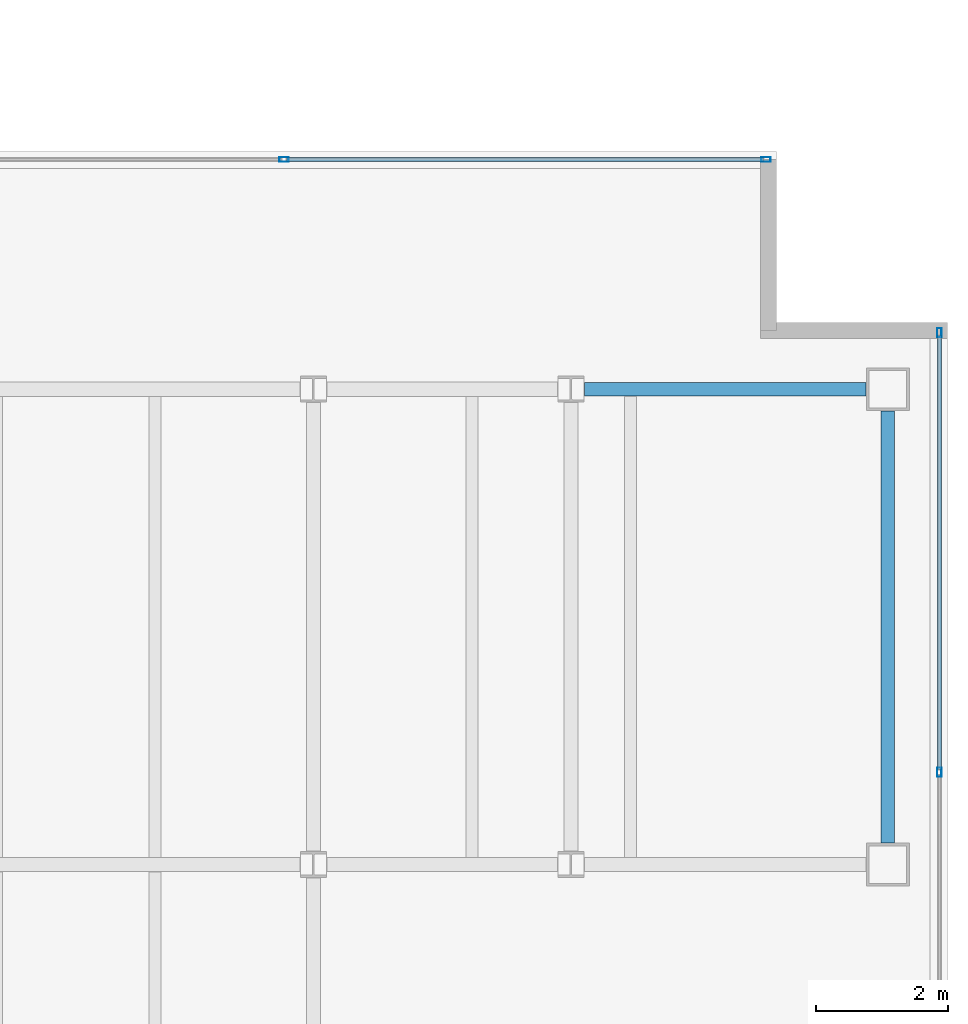
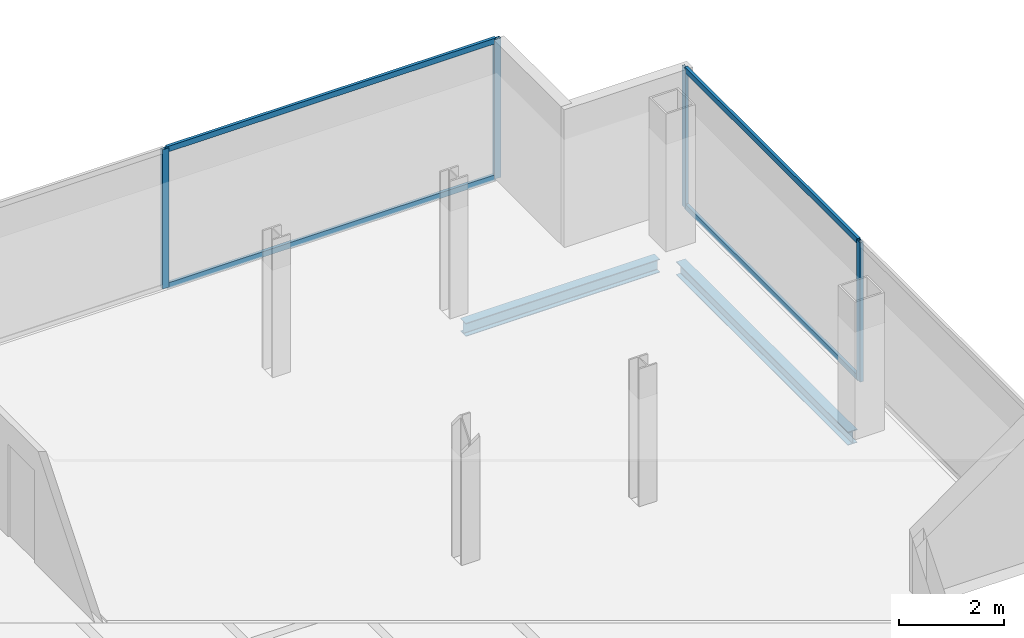
# One storey, part 16 of 23: 8 members, 2 beams, 2 elements without a shape of their own.
"""IFC4 building model written with IfcOpenShell, lengths in metres."""

from ifc_helpers import new_model, si_unit, direction, frame, origin, origin_2d, place, context, subcontext, project, spatial, hollow_rectangle, i_section, extrude, material, material_profile, profile_set, type_object, element, aggregate, save


model = new_model("IFC4")

# Units and contexts
model_context = context("Model", 3, precision=1e-05, world=origin(), true_north=direction((0.0, 1.0)))
body_context = subcontext(model_context, "Body", "Model", "MODEL_VIEW")
ifc_project = project(units=[si_unit("LENGTHUNIT", "METRE"), si_unit("AREAUNIT", "SQUARE_METRE"), si_unit("VOLUMEUNIT", "CUBIC_METRE"), si_unit("PLANEANGLEUNIT", "RADIAN"), si_unit("MASSUNIT", "GRAM", prefix="KILO")], contexts=[model_context])

# Site, building, storey
site_placement = place(None, origin())
site = spatial("IfcSite", under=ifc_project, at=site_placement, CompositionType="ELEMENT")
building_placement = place(site_placement, origin())
building = spatial("IfcBuilding", under=site, at=building_placement, Name="Cobrela Telecom Tower", CompositionType="ELEMENT")
storey_placement = place(building_placement, frame((0.0, 0.0, 262.14990234375)))
storey = spatial("IfcBuildingStorey", under=building, at=storey_placement, Name="L68", CompositionType="ELEMENT", Elevation=262.14990234375)

# Beams
ifc_material_1 = material(Name="Steel ASTM A992 Grade 50", Category="steel")
ifc_material_profile_1 = material_profile(ifc_material_1, i_section(OverallWidth=0.205078125, OverallDepth=0.31005859375, WebThickness=0.009521484375, FlangeThickness=0.016357421875, FilletRadius=0.010986328125, at=origin_2d()), Name="W12X50")
ifc_profile_set_1 = profile_set([ifc_material_profile_1], Name="Steel ASTM A992 Grade 50")
beam_type = type_object("IfcBeamType", Name="BM-SPAND-07", PredefinedType="SPANDREL", material=ifc_profile_set_1)
beam_1_placement = place(storey_placement, frame((40.1044921875, 21.60009765625, -0.414794921875), z_axis=(1.0, 0.0, 0.0), x_axis=(0.0, 1.0, 0.0)))
element("IfcBeam", 1, at=beam_1_placement, inside=storey, type_object=beam_type, Name="L68 Perimeter Spandrel X14", PredefinedType="SPANDREL", context=body_context, shape_type="SweptSolid", body=[
    extrude(i_section(OverallWidth=0.205078125, OverallDepth=0.31005859375, WebThickness=0.009521484375, FlangeThickness=0.016357421875, FilletRadius=0.010986328125, at=origin_2d()), origin(), (0.0, 0.0, 1.0), 4.265625),
])
beam_2_placement = place(storey_placement, frame((44.699951171875, 14.72998046875, -0.414794921875), z_axis=(0.0, 1.0, 0.0), x_axis=(-1.0, 0.0, 0.0)))
element("IfcBeam", 2, at=beam_2_placement, inside=storey, type_object=beam_type, Name="L68 Perimeter Spandrel Y34", PredefinedType="SPANDREL", context=body_context, shape_type="SweptSolid", body=[
    extrude(i_section(OverallWidth=0.205078125, OverallDepth=0.31005859375, WebThickness=0.009521484375, FlangeThickness=0.016357421875, FilletRadius=0.010986328125, at=origin_2d()), origin(), (0.0, 0.0, 1.0), 6.5400390625),
])

# Curtain wall, members
ifc_material_2 = material(Name="Anodized Bronze Aluminium 6063-T6", Category="aluminium")
curtain_wall_type = type_object("IfcCurtainWallType", Name="CW-SYS-OFF-HI", PredefinedType="USERDEFINED", material=ifc_material_2)
curtain_wall_1_placement = place(storey_placement, origin())
curtain_wall_1 = element("IfcCurtainWall", 3, at=curtain_wall_1_placement, inside=storey, type_object=curtain_wall_type, Name="L68 Unitised Bronze Curtain Wall 09", ObjectType="UNITISED CURTAIN WALL", PredefinedType="USERDEFINED")
ifc_material_profile_2 = material_profile(ifc_material_2, hollow_rectangle(XDim=0.070068359375, YDim=0.139892578125, WallThickness=0.00390625, at=origin_2d()), Name="ALU 70x140x4")
ifc_profile_set_2 = profile_set([ifc_material_profile_2], Name="Anodized Bronze Aluminium 6063-T6")
member_type_1 = type_object("IfcMemberType", Name="CW-SYS-OFF-HI-MUL", PredefinedType="MULLION", material=ifc_profile_set_2)
member_1_placement = place(storey_placement, frame((35.55322265625, 25.080078125, 0.0), z_axis=(0.0, 0.0, 1.0), x_axis=(0.0, 1.0, 0.0)))
member_1 = element("IfcMember", 4, at=member_1_placement, type_object=member_type_1, Name="CW-OFF-HI mullion 3", PredefinedType="MULLION", context=body_context, shape_type="SweptSolid", body=[
    extrude(hollow_rectangle(XDim=0.070068359375, YDim=0.139892578125, WallThickness=0.00390625, at=origin_2d()), origin(), (0.0, 0.0, 1.0), 3.239990234375),
])
member_2_placement = place(storey_placement, frame((42.85498046875, 25.080078125, 0.0), z_axis=(0.0, 0.0, 1.0), x_axis=(0.0, 1.0, 0.0)))
member_2 = element("IfcMember", 5, at=member_2_placement, type_object=member_type_1, Name="CW-OFF-HI mullion 4", PredefinedType="MULLION", context=body_context, shape_type="SweptSolid", body=[
    extrude(hollow_rectangle(XDim=0.070068359375, YDim=0.139892578125, WallThickness=0.00390625, at=origin_2d()), origin(), (0.0, 0.0, 1.0), 3.239990234375),
])

curtain_wall_2_placement = place(storey_placement, origin())
curtain_wall_2 = element("IfcCurtainWall", 6, at=curtain_wall_2_placement, inside=storey, type_object=curtain_wall_type, Name="L68 Unitised Bronze Curtain Wall 12", ObjectType="UNITISED CURTAIN WALL", PredefinedType="USERDEFINED")
member_3_placement = place(storey_placement, frame((45.47998046875, 22.455078125, 0.0), z_axis=(0.0, 0.0, 1.0), x_axis=(1.0, 0.0, 0.0)))
member_3 = element("IfcMember", 7, at=member_3_placement, type_object=member_type_1, Name="CW-OFF-HI mullion 1", PredefinedType="MULLION", context=body_context, shape_type="SweptSolid", body=[
    extrude(hollow_rectangle(XDim=0.070068359375, YDim=0.139892578125, WallThickness=0.00390625, at=origin_2d()), origin(), (0.0, 0.0, 1.0), 3.239990234375),
])
member_4_placement = place(storey_placement, frame((45.47998046875, 15.800048828125, 0.0), z_axis=(0.0, 0.0, 1.0), x_axis=(1.0, 0.0, 0.0)))
member_4 = element("IfcMember", 8, at=member_4_placement, type_object=member_type_1, Name="CW-OFF-HI mullion 2", PredefinedType="MULLION", context=body_context, shape_type="SweptSolid", body=[
    extrude(hollow_rectangle(XDim=0.070068359375, YDim=0.139892578125, WallThickness=0.00390625, at=origin_2d()), origin(), (0.0, 0.0, 1.0), 3.239990234375),
])

# Member
ifc_material_profile_3 = material_profile(ifc_material_2, hollow_rectangle(XDim=0.06494140625, YDim=0.1298828125, WallThickness=0.00390625, at=origin_2d()), Name="ALU 65x130x4")
ifc_profile_set_3 = profile_set([ifc_material_profile_3], Name="Anodized Bronze Aluminium 6063-T6")
member_type_2 = type_object("IfcMemberType", Name="CW-SYS-OFF-HI-TRN", PredefinedType="USERDEFINED", material=ifc_profile_set_3)
member_5_placement = place(storey_placement, frame((35.58837890625, 25.080078125, 0.03271484375), z_axis=(1.0, 0.0, 0.0), x_axis=(0.0, 1.0, 0.0)))
member_5 = element("IfcMember", 9, at=member_5_placement, type_object=member_type_2, Name="CW-OFF-HI transom 3.1", ObjectType="TRANSOM", PredefinedType="USERDEFINED", context=body_context, shape_type="SweptSolid", body=[
    extrude(hollow_rectangle(XDim=0.06494140625, YDim=0.1298828125, WallThickness=0.00390625, at=origin_2d()), origin(), (0.0, 0.0, 1.0), 7.231689453125),
])

member_6_placement = place(storey_placement, frame((35.58837890625, 25.080078125, 3.20751953125), z_axis=(1.0, 0.0, 0.0), x_axis=(0.0, 1.0, 0.0)))
member_6 = element("IfcMember", 10, at=member_6_placement, type_object=member_type_2, Name="CW-OFF-HI transom 3.2", ObjectType="TRANSOM", PredefinedType="USERDEFINED", context=body_context, shape_type="SweptSolid", body=[
    extrude(hollow_rectangle(XDim=0.06494140625, YDim=0.1298828125, WallThickness=0.00390625, at=origin_2d()), origin(), (0.0, 0.0, 1.0), 7.231689453125),
])

aggregate(curtain_wall_1, [member_1, member_2, member_5, member_6])

member_7_placement = place(storey_placement, frame((45.47998046875, 22.419921875, 0.03271484375), z_axis=(0.0, -1.0, 0.0), x_axis=(1.0, 0.0, 0.0)))
member_7 = element("IfcMember", 11, at=member_7_placement, type_object=member_type_2, Name="CW-OFF-HI transom 1.1", ObjectType="TRANSOM", PredefinedType="USERDEFINED", context=body_context, shape_type="SweptSolid", body=[
    extrude(hollow_rectangle(XDim=0.06494140625, YDim=0.1298828125, WallThickness=0.00390625, at=origin_2d()), origin(), (0.0, 0.0, 1.0), 6.5849609375),
])

member_8_placement = place(storey_placement, frame((45.47998046875, 22.419921875, 3.20751953125), z_axis=(0.0, -1.0, 0.0), x_axis=(1.0, 0.0, 0.0)))
member_8 = element("IfcMember", 12, at=member_8_placement, type_object=member_type_2, Name="CW-OFF-HI transom 1.2", ObjectType="TRANSOM", PredefinedType="USERDEFINED", context=body_context, shape_type="SweptSolid", body=[
    extrude(hollow_rectangle(XDim=0.06494140625, YDim=0.1298828125, WallThickness=0.00390625, at=origin_2d()), origin(), (0.0, 0.0, 1.0), 6.5849609375),
])

aggregate(curtain_wall_2, [member_3, member_4, member_7, member_8])

save(model, "model.ifc")
